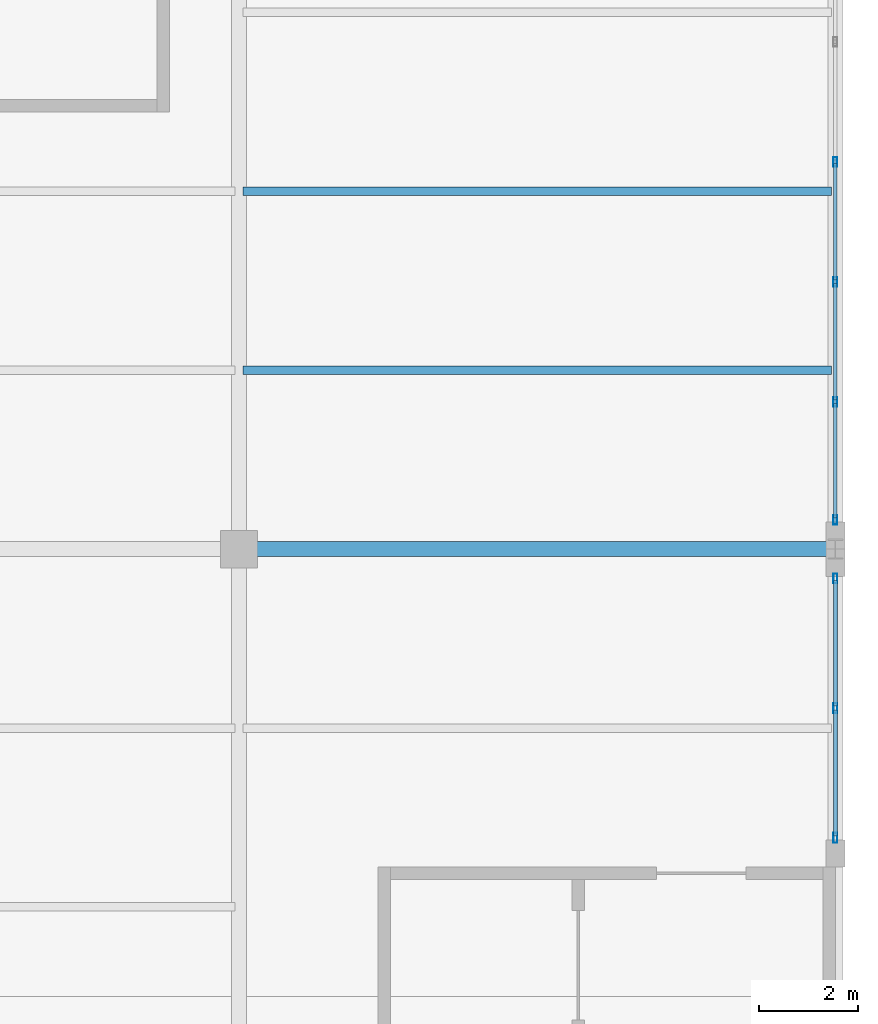
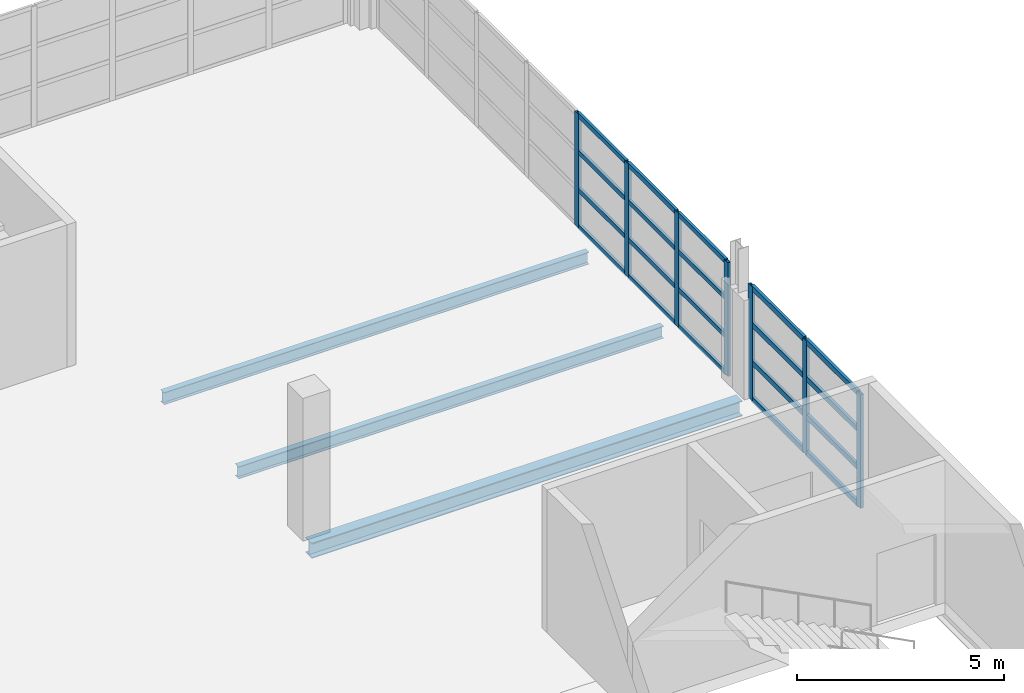
# One storey, part 113 of 158: 27 members, 3 beams, 2 elements without a shape of their own.
"""IFC4 building model written with IfcOpenShell, lengths in metres."""

from ifc_helpers import new_model, si_unit, direction, frame, origin, origin_2d, place, context, subcontext, project, spatial, hollow_rectangle, i_section, extrude, material, layer, layer_set, material_profile, profile_set, type_object, element, aggregate, save


model = new_model("IFC4")

# Units and contexts
model_context = context("Model", 3, precision=1e-05, world=origin(), true_north=direction((0.0, 1.0)))
body_context = subcontext(model_context, "Body", "Model", "MODEL_VIEW")
ifc_project = project(units=[si_unit("LENGTHUNIT", "METRE"), si_unit("AREAUNIT", "SQUARE_METRE"), si_unit("VOLUMEUNIT", "CUBIC_METRE"), si_unit("PLANEANGLEUNIT", "RADIAN"), si_unit("MASSUNIT", "GRAM", prefix="KILO")], contexts=[model_context])

# Site, building, storey
site_placement = place(None, origin())
site = spatial("IfcSite", under=ifc_project, at=site_placement, CompositionType="ELEMENT")
building_placement = place(site_placement, origin())
building = spatial("IfcBuilding", under=site, at=building_placement, Name="Zilviju Railside Exhibition Hall", CompositionType="ELEMENT")
storey_placement = place(building_placement, frame((0.0, 0.0, 4.199951171875)))
storey = spatial("IfcBuildingStorey", under=building, at=storey_placement, Name="L02", CompositionType="ELEMENT", Elevation=4.199951171875)

# Beams
ifc_material_1 = material(Name="Steel S355J2", Category="steel")
ifc_material_profile_1 = material_profile(ifc_material_1, i_section(OverallWidth=0.300048828125, OverallDepth=0.449951171875, WebThickness=0.013916015625, FlangeThickness=0.02587890625, at=origin_2d()), Name="HEB 450")
ifc_profile_set_1 = profile_set([ifc_material_profile_1], Name="Steel S355J2")
beam_type_1 = type_object("IfcBeamType", Name="BM-HEB450", PredefinedType="BEAM", material=ifc_profile_set_1)
beam_placement = place(storey_placement, frame((204.0, 120.0, -0.554931640625), z_axis=(1.0, 0.0, 0.0), x_axis=(0.0, 1.0, 0.0)))
element("IfcBeam", 1, at=beam_placement, inside=storey, type_object=beam_type_1, Name="Primary Girder L02 Y=120.0 (204.0..216.0)", PredefinedType="BEAM", context=body_context, shape_type="SweptSolid", body=[
    extrude(i_section(OverallWidth=0.300048828125, OverallDepth=0.449951171875, WebThickness=0.013916015625, FlangeThickness=0.02587890625, at=origin_2d()), origin(), (0.0, 0.0, 1.0), 12.0),
])
ifc_material_profile_2 = material_profile(ifc_material_1, i_section(OverallWidth=0.169921875, OverallDepth=0.360107421875, WebThickness=0.008056640625, FlangeThickness=0.0126953125, at=origin_2d()), Name="IPE 360")
ifc_profile_set_2 = profile_set([ifc_material_profile_2], Name="Steel S355J2")
beam_type_2 = type_object("IfcBeamType", Name="BM-IPE360", PredefinedType="JOIST", material=ifc_profile_set_2)
for number, where, z_axis, x_axis, name in (
    (2, (204.080078125, 123.60009765625, -0.510009765625), (1.0, 0.0, 0.0), (0.0, 1.0, 0.0), "Composite Floor Joist L02 Y=123.60 (204.0..216.0)"),
    (3, (204.080078125, 127.199951171875, -0.510009765625), (1.0, 0.0, 0.0), (0.0, 1.0, 0.0), "Composite Floor Joist L02 Y=127.20 (204.0..216.0)"),
):
    element("IfcBeam", number, at=place(storey_placement, frame(where, z_axis=z_axis, x_axis=x_axis)), inside=storey, type_object=beam_type_2, Name=name, PredefinedType="JOIST", context=body_context, shape_type="SweptSolid", body=[
        extrude(i_section(OverallWidth=0.169921875, OverallDepth=0.360107421875, WebThickness=0.008056640625, FlangeThickness=0.0126953125, at=origin_2d()), origin(), (0.0, 0.0, 1.0), 11.83984375),
    ])

# Curtain wall, members
ifc_material_2 = material(Name="Thermally broken aluminium-steel triple-glazed curtain wall", Category="steel")
ifc_layer_1 = layer(ifc_material_2, 0.179931640625)
ifc_layer_set_1 = layer_set([ifc_layer_1], Name="Thermally broken aluminium-steel triple-glazed curtain wall")
curtain_wall_type_1 = type_object("IfcCurtainWallType", Name="CW-BAY-17", PredefinedType="USERDEFINED", material=ifc_layer_set_1)
curtain_wall_1_placement = place(storey_placement, origin())
curtain_wall_1 = element("IfcCurtainWall", 4, at=curtain_wall_1_placement, inside=storey, type_object=curtain_wall_type_1, Name="North Hall East Glazed Gable L02 (120..138)", ObjectType="GLAZED CURTAIN WALL", PredefinedType="USERDEFINED")
ifc_material_3 = material(Name="Thermally broken anodized aluminium mullion", Category="aluminium")
ifc_material_profile_3 = material_profile(ifc_material_3, hollow_rectangle(XDim=0.074951171875, YDim=0.18994140625, WallThickness=0.0048828125, at=origin_2d()), Name="MULLION 190x75x5")
ifc_profile_set_3 = profile_set([ifc_material_profile_3], Name="Thermally broken anodized aluminium mullion")
member_type_1 = type_object("IfcMemberType", Name="CWM-75x190", PredefinedType="MULLION", material=ifc_profile_set_3)
member_1_placement = place(storey_placement, frame((216.0, 127.79296875, 0.0), z_axis=(0.0, 0.0, 1.0), x_axis=(1.0, 0.0, 0.0)))
member_1 = element("IfcMember", 5, at=member_1_placement, type_object=member_type_1, Name="CW-17 mullion 5", PredefinedType="MULLION", context=body_context, shape_type="SweptSolid", body=[
    extrude(hollow_rectangle(XDim=0.074951171875, YDim=0.18994140625, WallThickness=0.0048828125, at=origin_2d()), origin(), (0.0, 0.0, 1.0), 3.35009765625),
])
member_2_placement = place(storey_placement, frame((216.0, 125.378662109375, 0.0), z_axis=(0.0, 0.0, 1.0), x_axis=(1.0, 0.0, 0.0)))
member_2 = element("IfcMember", 6, at=member_2_placement, type_object=member_type_1, Name="CW-17 mullion 6", PredefinedType="MULLION", context=body_context, shape_type="SweptSolid", body=[
    extrude(hollow_rectangle(XDim=0.074951171875, YDim=0.18994140625, WallThickness=0.0048828125, at=origin_2d()), origin(), (0.0, 0.0, 1.0), 3.35009765625),
])
member_3_placement = place(storey_placement, frame((216.0, 122.96435546875, 0.0), z_axis=(0.0, 0.0, 1.0), x_axis=(1.0, 0.0, 0.0)))
member_3 = element("IfcMember", 7, at=member_3_placement, type_object=member_type_1, Name="CW-17 mullion 7", PredefinedType="MULLION", context=body_context, shape_type="SweptSolid", body=[
    extrude(hollow_rectangle(XDim=0.074951171875, YDim=0.18994140625, WallThickness=0.0048828125, at=origin_2d()), origin(), (0.0, 0.0, 1.0), 3.35009765625),
])
member_4_placement = place(storey_placement, frame((216.0, 120.58740234375, 0.0), z_axis=(0.0, 0.0, 1.0), x_axis=(1.0, 0.0, 0.0)))
member_4 = element("IfcMember", 8, at=member_4_placement, type_object=member_type_1, Name="CW-17 mullion 8", PredefinedType="MULLION", context=body_context, shape_type="SweptSolid", body=[
    extrude(hollow_rectangle(XDim=0.074951171875, YDim=0.18994140625, WallThickness=0.0048828125, at=origin_2d()), origin(), (0.0, 0.0, 1.0), 3.35009765625),
])

ifc_layer_2 = layer(ifc_material_2, 0.179931640625)
ifc_layer_set_2 = layer_set([ifc_layer_2], Name="Thermally broken aluminium-steel triple-glazed curtain wall")
curtain_wall_type_2 = type_object("IfcCurtainWallType", Name="CW-BAY-16", PredefinedType="USERDEFINED", material=ifc_layer_set_2)
curtain_wall_2_placement = place(storey_placement, origin())
curtain_wall_2 = element("IfcCurtainWall", 9, at=curtain_wall_2_placement, inside=storey, type_object=curtain_wall_type_2, Name="North Hall East Glazed Gable L02 (114..120)", ObjectType="GLAZED CURTAIN WALL", PredefinedType="USERDEFINED")
ifc_material_profile_4 = material_profile(ifc_material_3, hollow_rectangle(XDim=0.080078125, YDim=0.199951171875, WallThickness=0.0048828125, at=origin_2d()), Name="MULLION 200x80x5")
ifc_profile_set_4 = profile_set([ifc_material_profile_4], Name="Thermally broken anodized aluminium mullion")
member_type_2 = type_object("IfcMemberType", Name="CWM-80x200", PredefinedType="MULLION", material=ifc_profile_set_4)
member_5_placement = place(storey_placement, frame((216.0, 119.409912109375, 0.0), z_axis=(0.0, 0.0, 1.0), x_axis=(1.0, 0.0, 0.0)))
member_5 = element("IfcMember", 10, at=member_5_placement, type_object=member_type_2, Name="CW-16 mullion 1", PredefinedType="MULLION", context=body_context, shape_type="SweptSolid", body=[
    extrude(hollow_rectangle(XDim=0.080078125, YDim=0.199951171875, WallThickness=0.0048828125, at=origin_2d()), origin(), (0.0, 0.0, 1.0), 3.35009765625),
])
member_6_placement = place(storey_placement, frame((216.0, 116.800048828125, 0.0), z_axis=(0.0, 0.0, 1.0), x_axis=(1.0, 0.0, 0.0)))
member_6 = element("IfcMember", 11, at=member_6_placement, type_object=member_type_2, Name="CW-16 mullion 2", PredefinedType="MULLION", context=body_context, shape_type="SweptSolid", body=[
    extrude(hollow_rectangle(XDim=0.080078125, YDim=0.199951171875, WallThickness=0.0048828125, at=origin_2d()), origin(), (0.0, 0.0, 1.0), 3.35009765625),
])
member_7_placement = place(storey_placement, frame((216.0, 114.18994140625, 0.0), z_axis=(0.0, 0.0, 1.0), x_axis=(1.0, 0.0, 0.0)))
member_7 = element("IfcMember", 12, at=member_7_placement, type_object=member_type_2, Name="CW-16 mullion 3", PredefinedType="MULLION", context=body_context, shape_type="SweptSolid", body=[
    extrude(hollow_rectangle(XDim=0.080078125, YDim=0.199951171875, WallThickness=0.0048828125, at=origin_2d()), origin(), (0.0, 0.0, 1.0), 3.35009765625),
])

# Member
ifc_material_4 = material(Name="Thermally broken anodized aluminium transom", Category="aluminium")
ifc_material_profile_5 = material_profile(ifc_material_4, hollow_rectangle(XDim=0.074951171875, YDim=0.139892578125, WallThickness=0.0048828125, at=origin_2d()), Name="TRANSOM 140x75x5")
ifc_profile_set_5 = profile_set([ifc_material_profile_5], Name="Thermally broken anodized aluminium transom")
member_type_3 = type_object("IfcMemberType", Name="CWT-75x140", PredefinedType="USERDEFINED", material=ifc_profile_set_5)
member_8_placement = place(storey_placement, frame((216.0, 127.75537109375, 0.03759765625), z_axis=(0.0, -1.0, 0.0), x_axis=(1.0, 0.0, 0.0)))
member_8 = element("IfcMember", 13, at=member_8_placement, type_object=member_type_3, Name="CW-17 transom 5.1", ObjectType="TRANSOM", PredefinedType="USERDEFINED", context=body_context, shape_type="SweptSolid", body=[
    extrude(hollow_rectangle(XDim=0.074951171875, YDim=0.139892578125, WallThickness=0.0048828125, at=origin_2d()), origin(), (0.0, 0.0, 1.0), 2.33935546875),
])

member_9_placement = place(storey_placement, frame((216.0, 127.75537109375, 1.116943359375), z_axis=(0.0, -1.0, 0.0), x_axis=(1.0, 0.0, 0.0)))
member_9 = element("IfcMember", 14, at=member_9_placement, type_object=member_type_3, Name="CW-17 transom 5.2", ObjectType="TRANSOM", PredefinedType="USERDEFINED", context=body_context, shape_type="SweptSolid", body=[
    extrude(hollow_rectangle(XDim=0.074951171875, YDim=0.139892578125, WallThickness=0.0048828125, at=origin_2d()), origin(), (0.0, 0.0, 1.0), 2.33935546875),
])

member_10_placement = place(storey_placement, frame((216.0, 127.75537109375, 2.233154296875), z_axis=(0.0, -1.0, 0.0), x_axis=(1.0, 0.0, 0.0)))
member_10 = element("IfcMember", 15, at=member_10_placement, type_object=member_type_3, Name="CW-17 transom 5.3", ObjectType="TRANSOM", PredefinedType="USERDEFINED", context=body_context, shape_type="SweptSolid", body=[
    extrude(hollow_rectangle(XDim=0.074951171875, YDim=0.139892578125, WallThickness=0.0048828125, at=origin_2d()), origin(), (0.0, 0.0, 1.0), 2.33935546875),
])

member_11_placement = place(storey_placement, frame((216.0, 127.75537109375, 3.3125), z_axis=(0.0, -1.0, 0.0), x_axis=(1.0, 0.0, 0.0)))
member_11 = element("IfcMember", 16, at=member_11_placement, type_object=member_type_3, Name="CW-17 transom 5.4", ObjectType="TRANSOM", PredefinedType="USERDEFINED", context=body_context, shape_type="SweptSolid", body=[
    extrude(hollow_rectangle(XDim=0.074951171875, YDim=0.139892578125, WallThickness=0.0048828125, at=origin_2d()), origin(), (0.0, 0.0, 1.0), 2.33935546875),
])

member_12_placement = place(storey_placement, frame((216.0, 125.341064453125, 0.03759765625), z_axis=(0.0, -1.0, 0.0), x_axis=(1.0, 0.0, 0.0)))
member_12 = element("IfcMember", 17, at=member_12_placement, type_object=member_type_3, Name="CW-17 transom 6.1", ObjectType="TRANSOM", PredefinedType="USERDEFINED", context=body_context, shape_type="SweptSolid", body=[
    extrude(hollow_rectangle(XDim=0.074951171875, YDim=0.139892578125, WallThickness=0.0048828125, at=origin_2d()), origin(), (0.0, 0.0, 1.0), 2.33935546875),
])

member_13_placement = place(storey_placement, frame((216.0, 125.341064453125, 1.116943359375), z_axis=(0.0, -1.0, 0.0), x_axis=(1.0, 0.0, 0.0)))
member_13 = element("IfcMember", 18, at=member_13_placement, type_object=member_type_3, Name="CW-17 transom 6.2", ObjectType="TRANSOM", PredefinedType="USERDEFINED", context=body_context, shape_type="SweptSolid", body=[
    extrude(hollow_rectangle(XDim=0.074951171875, YDim=0.139892578125, WallThickness=0.0048828125, at=origin_2d()), origin(), (0.0, 0.0, 1.0), 2.33935546875),
])

member_14_placement = place(storey_placement, frame((216.0, 125.341064453125, 2.233154296875), z_axis=(0.0, -1.0, 0.0), x_axis=(1.0, 0.0, 0.0)))
member_14 = element("IfcMember", 19, at=member_14_placement, type_object=member_type_3, Name="CW-17 transom 6.3", ObjectType="TRANSOM", PredefinedType="USERDEFINED", context=body_context, shape_type="SweptSolid", body=[
    extrude(hollow_rectangle(XDim=0.074951171875, YDim=0.139892578125, WallThickness=0.0048828125, at=origin_2d()), origin(), (0.0, 0.0, 1.0), 2.33935546875),
])

member_15_placement = place(storey_placement, frame((216.0, 125.341064453125, 3.3125), z_axis=(0.0, -1.0, 0.0), x_axis=(1.0, 0.0, 0.0)))
member_15 = element("IfcMember", 20, at=member_15_placement, type_object=member_type_3, Name="CW-17 transom 6.4", ObjectType="TRANSOM", PredefinedType="USERDEFINED", context=body_context, shape_type="SweptSolid", body=[
    extrude(hollow_rectangle(XDim=0.074951171875, YDim=0.139892578125, WallThickness=0.0048828125, at=origin_2d()), origin(), (0.0, 0.0, 1.0), 2.33935546875),
])

member_16_placement = place(storey_placement, frame((216.0, 122.9267578125, 0.03759765625), z_axis=(0.0, -1.0, 0.0), x_axis=(1.0, 0.0, 0.0)))
member_16 = element("IfcMember", 21, at=member_16_placement, type_object=member_type_3, Name="CW-17 transom 7.1", ObjectType="TRANSOM", PredefinedType="USERDEFINED", context=body_context, shape_type="SweptSolid", body=[
    extrude(hollow_rectangle(XDim=0.074951171875, YDim=0.139892578125, WallThickness=0.0048828125, at=origin_2d()), origin(), (0.0, 0.0, 1.0), 2.3017578125),
])

member_17_placement = place(storey_placement, frame((216.0, 122.9267578125, 1.116943359375), z_axis=(0.0, -1.0, 0.0), x_axis=(1.0, 0.0, 0.0)))
member_17 = element("IfcMember", 22, at=member_17_placement, type_object=member_type_3, Name="CW-17 transom 7.2", ObjectType="TRANSOM", PredefinedType="USERDEFINED", context=body_context, shape_type="SweptSolid", body=[
    extrude(hollow_rectangle(XDim=0.074951171875, YDim=0.139892578125, WallThickness=0.0048828125, at=origin_2d()), origin(), (0.0, 0.0, 1.0), 2.3017578125),
])

member_18_placement = place(storey_placement, frame((216.0, 122.9267578125, 2.233154296875), z_axis=(0.0, -1.0, 0.0), x_axis=(1.0, 0.0, 0.0)))
member_18 = element("IfcMember", 23, at=member_18_placement, type_object=member_type_3, Name="CW-17 transom 7.3", ObjectType="TRANSOM", PredefinedType="USERDEFINED", context=body_context, shape_type="SweptSolid", body=[
    extrude(hollow_rectangle(XDim=0.074951171875, YDim=0.139892578125, WallThickness=0.0048828125, at=origin_2d()), origin(), (0.0, 0.0, 1.0), 2.3017578125),
])

member_19_placement = place(storey_placement, frame((216.0, 122.9267578125, 3.3125), z_axis=(0.0, -1.0, 0.0), x_axis=(1.0, 0.0, 0.0)))
member_19 = element("IfcMember", 24, at=member_19_placement, type_object=member_type_3, Name="CW-17 transom 7.4", ObjectType="TRANSOM", PredefinedType="USERDEFINED", context=body_context, shape_type="SweptSolid", body=[
    extrude(hollow_rectangle(XDim=0.074951171875, YDim=0.139892578125, WallThickness=0.0048828125, at=origin_2d()), origin(), (0.0, 0.0, 1.0), 2.3017578125),
])

aggregate(curtain_wall_1, [member_1, member_2, member_3, member_4, member_8, member_9, member_10, member_11, member_12, member_13, member_14, member_15, member_16, member_17, member_18, member_19])

ifc_material_profile_6 = material_profile(ifc_material_4, hollow_rectangle(XDim=0.080078125, YDim=0.159912109375, WallThickness=0.0048828125, at=origin_2d()), Name="TRANSOM 160x80x5")
ifc_profile_set_6 = profile_set([ifc_material_profile_6], Name="Thermally broken anodized aluminium transom")
member_type_4 = type_object("IfcMemberType", Name="CWT-80x160", PredefinedType="USERDEFINED", material=ifc_profile_set_6)
member_20_placement = place(storey_placement, frame((216.0, 119.3701171875, 0.0400390625), z_axis=(0.0, -1.0, 0.0), x_axis=(1.0, 0.0, 0.0)))
member_20 = element("IfcMember", 25, at=member_20_placement, type_object=member_type_4, Name="CW-16 transom 1.1", ObjectType="TRANSOM", PredefinedType="USERDEFINED", context=body_context, shape_type="SweptSolid", body=[
    extrude(hollow_rectangle(XDim=0.080078125, YDim=0.159912109375, WallThickness=0.0048828125, at=origin_2d()), origin(), (0.0, 0.0, 1.0), 2.530029296875),
])

member_21_placement = place(storey_placement, frame((216.0, 119.3701171875, 1.116943359375), z_axis=(0.0, -1.0, 0.0), x_axis=(1.0, 0.0, 0.0)))
member_21 = element("IfcMember", 26, at=member_21_placement, type_object=member_type_4, Name="CW-16 transom 1.2", ObjectType="TRANSOM", PredefinedType="USERDEFINED", context=body_context, shape_type="SweptSolid", body=[
    extrude(hollow_rectangle(XDim=0.080078125, YDim=0.159912109375, WallThickness=0.0048828125, at=origin_2d()), origin(), (0.0, 0.0, 1.0), 2.530029296875),
])

member_22_placement = place(storey_placement, frame((216.0, 119.3701171875, 2.233154296875), z_axis=(0.0, -1.0, 0.0), x_axis=(1.0, 0.0, 0.0)))
member_22 = element("IfcMember", 27, at=member_22_placement, type_object=member_type_4, Name="CW-16 transom 1.3", ObjectType="TRANSOM", PredefinedType="USERDEFINED", context=body_context, shape_type="SweptSolid", body=[
    extrude(hollow_rectangle(XDim=0.080078125, YDim=0.159912109375, WallThickness=0.0048828125, at=origin_2d()), origin(), (0.0, 0.0, 1.0), 2.530029296875),
])

member_23_placement = place(storey_placement, frame((216.0, 119.3701171875, 3.31005859375), z_axis=(0.0, -1.0, 0.0), x_axis=(1.0, 0.0, 0.0)))
member_23 = element("IfcMember", 28, at=member_23_placement, type_object=member_type_4, Name="CW-16 transom 1.4", ObjectType="TRANSOM", PredefinedType="USERDEFINED", context=body_context, shape_type="SweptSolid", body=[
    extrude(hollow_rectangle(XDim=0.080078125, YDim=0.159912109375, WallThickness=0.0048828125, at=origin_2d()), origin(), (0.0, 0.0, 1.0), 2.530029296875),
])

member_24_placement = place(storey_placement, frame((216.0, 116.760009765625, 0.0400390625), z_axis=(0.0, -1.0, 0.0), x_axis=(1.0, 0.0, 0.0)))
member_24 = element("IfcMember", 29, at=member_24_placement, type_object=member_type_4, Name="CW-16 transom 2.1", ObjectType="TRANSOM", PredefinedType="USERDEFINED", context=body_context, shape_type="SweptSolid", body=[
    extrude(hollow_rectangle(XDim=0.080078125, YDim=0.159912109375, WallThickness=0.0048828125, at=origin_2d()), origin(), (0.0, 0.0, 1.0), 2.530029296875),
])

member_25_placement = place(storey_placement, frame((216.0, 116.760009765625, 1.116943359375), z_axis=(0.0, -1.0, 0.0), x_axis=(1.0, 0.0, 0.0)))
member_25 = element("IfcMember", 30, at=member_25_placement, type_object=member_type_4, Name="CW-16 transom 2.2", ObjectType="TRANSOM", PredefinedType="USERDEFINED", context=body_context, shape_type="SweptSolid", body=[
    extrude(hollow_rectangle(XDim=0.080078125, YDim=0.159912109375, WallThickness=0.0048828125, at=origin_2d()), origin(), (0.0, 0.0, 1.0), 2.530029296875),
])

member_26_placement = place(storey_placement, frame((216.0, 116.760009765625, 2.233154296875), z_axis=(0.0, -1.0, 0.0), x_axis=(1.0, 0.0, 0.0)))
member_26 = element("IfcMember", 31, at=member_26_placement, type_object=member_type_4, Name="CW-16 transom 2.3", ObjectType="TRANSOM", PredefinedType="USERDEFINED", context=body_context, shape_type="SweptSolid", body=[
    extrude(hollow_rectangle(XDim=0.080078125, YDim=0.159912109375, WallThickness=0.0048828125, at=origin_2d()), origin(), (0.0, 0.0, 1.0), 2.530029296875),
])

member_27_placement = place(storey_placement, frame((216.0, 116.760009765625, 3.31005859375), z_axis=(0.0, -1.0, 0.0), x_axis=(1.0, 0.0, 0.0)))
member_27 = element("IfcMember", 32, at=member_27_placement, type_object=member_type_4, Name="CW-16 transom 2.4", ObjectType="TRANSOM", PredefinedType="USERDEFINED", context=body_context, shape_type="SweptSolid", body=[
    extrude(hollow_rectangle(XDim=0.080078125, YDim=0.159912109375, WallThickness=0.0048828125, at=origin_2d()), origin(), (0.0, 0.0, 1.0), 2.530029296875),
])

aggregate(curtain_wall_2, [member_5, member_6, member_7, member_20, member_21, member_22, member_23, member_24, member_25, member_26, member_27])

save(model, "model.ifc")
